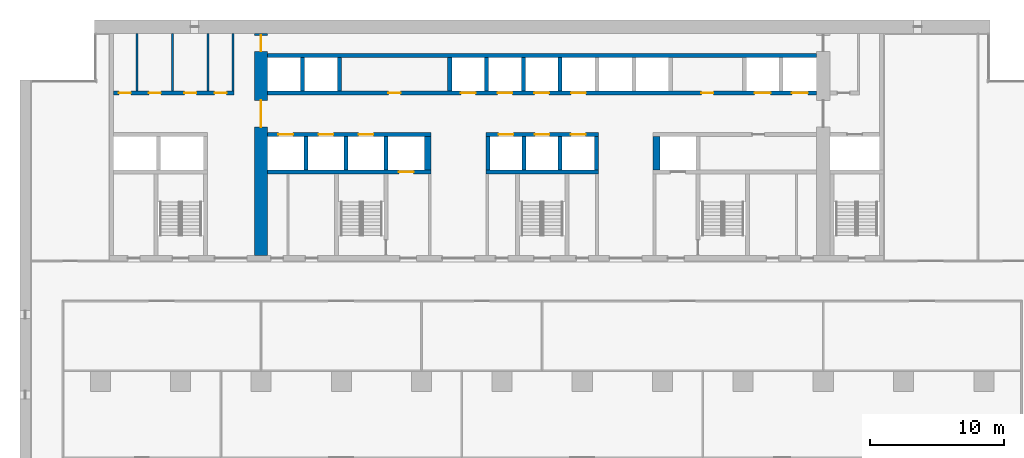
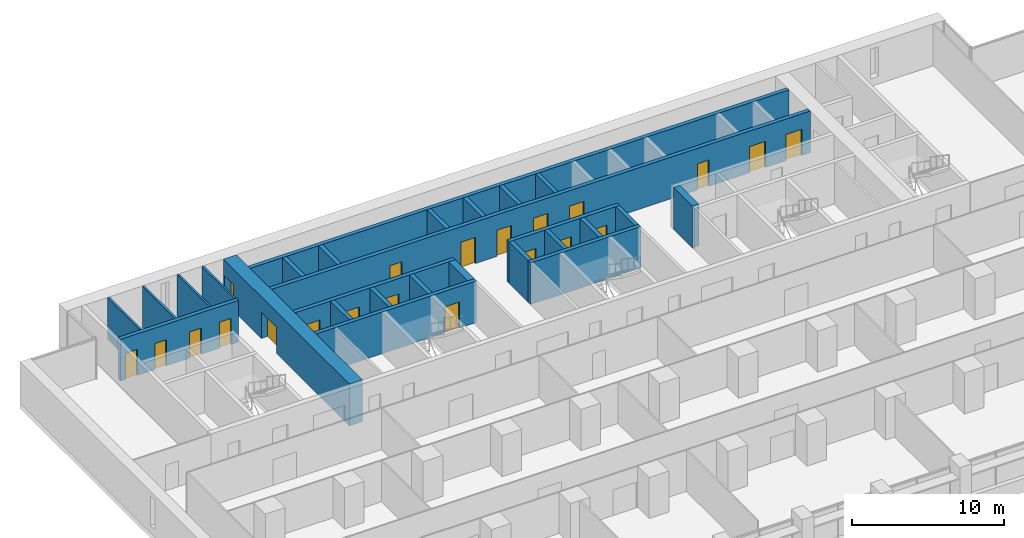
# One storey, part 11 of 18: 27 walls, 21 doors, 21 openings.
"""IFC4 building model written with IfcOpenShell, lengths in metres."""

from ifc_helpers import new_model, si_unit, direction, frame, frame_2d, origin, place, context, subcontext, project, spatial, rectangle, extrude, material, layer, layer_set, type_object, element, fill, save


model = new_model("IFC4")

# Units and contexts
model_context = context("Model", 3, precision=1e-05, world=origin(), true_north=direction((0.0, 1.0)))
body_context = subcontext(model_context, "Body", "Model", "MODEL_VIEW")
ifc_project = project(units=[si_unit("LENGTHUNIT", "METRE"), si_unit("AREAUNIT", "SQUARE_METRE"), si_unit("VOLUMEUNIT", "CUBIC_METRE"), si_unit("PLANEANGLEUNIT", "RADIAN"), si_unit("MASSUNIT", "GRAM", prefix="KILO")], contexts=[model_context])

# Site, building, storey
site_placement = place(None, origin())
site = spatial("IfcSite", under=ifc_project, at=site_placement, CompositionType="ELEMENT")
building_placement = place(site_placement, origin())
building = spatial("IfcBuilding", under=site, at=building_placement, Name="Calvaro Tower", CompositionType="ELEMENT")
storey_placement = place(building_placement, frame((0.0, 0.0, 82.5)))
storey = spatial("IfcBuildingStorey", under=building, at=storey_placement, Name="L20", CompositionType="ELEMENT", Elevation=82.5)

# Walls
ifc_material_1 = material(Name="Blockwork partition", Category="masonry")
ifc_layer_1 = layer(ifc_material_1, 0.14990234375)
ifc_layer_set_1 = layer_set([ifc_layer_1], Name="Blockwork partition")
wall_type_1 = type_object("IfcWallType", Name="Core partition 150 EI 60", PredefinedType="PARTITIONING", material=ifc_layer_set_1)
for number, where, z_axis, x_axis, name in (
    (1, (8.75, 40.699951171875, 0.0), (0.0, 0.0, 1.0), (0.0, 1.0, 0.0), "Core partition"),
    (2, (11.39990234375, 40.699951171875, 0.0), (0.0, 0.0, 1.0), (0.0, 1.0, 0.0), "Core partition"),
    (3, (14.050048828125, 40.699951171875, 0.0), (0.0, 0.0, 1.0), (0.0, 1.0, 0.0), "Core partition"),
):
    element("IfcWall", number, at=place(storey_placement, frame(where, z_axis=z_axis, x_axis=x_axis)), inside=storey, type_object=wall_type_1, Name=name, PredefinedType="PARTITIONING", context=body_context, shape_type="SweptSolid", body=[
        extrude(rectangle(XDim=4.300048828125, YDim=0.14990234375, at=frame_2d((2.14990234375, 0.0))), origin(), (0.0, 0.0, 1.0), 3.35009765625),
    ])
ifc_material_2 = material(Name="Blockwork partition", Category="masonry")
ifc_layer_2 = layer(ifc_material_2, 0.14990234375)
ifc_layer_set_2 = layer_set([ifc_layer_2], Name="Blockwork partition")
wall_type_2 = type_object("IfcWallType", Name="Core partition 150 REI 120", PredefinedType="PARTITIONING", material=ifc_layer_set_2)
wall_1_placement = place(storey_placement, frame((15.925048828125, 40.699951171875, 0.0), z_axis=(0.0, 0.0, 1.0), x_axis=(0.0, 1.0, 0.0)))
element("IfcWall", 4, at=wall_1_placement, inside=storey, type_object=wall_type_2, Name="Core partition", PredefinedType="PARTITIONING", context=body_context, shape_type="SweptSolid", body=[
    extrude(rectangle(XDim=4.300048828125, YDim=0.14990234375, at=frame_2d((2.14990234375, 0.0))), origin(), (0.0, 0.0, 1.0), 3.35009765625),
])

# Wall, openings, doors
ifc_material_3 = material(Name="Blockwork partition", Category="masonry")
ifc_layer_3 = layer(ifc_material_3, 0.300048828125)
ifc_layer_set_3 = layer_set([ifc_layer_3], Name="Blockwork partition")
wall_type_3 = type_object("IfcWallType", Name="Core partition 300 REI 120", PredefinedType="PARTITIONING", material=ifc_layer_set_3)
wall_2_placement = place(storey_placement, frame((7.0, 40.550048828125, 0.0), z_axis=(0.0, 0.0, 1.0), x_axis=(1.0, 0.0, 0.0)))
wall_2 = element("IfcWall", 5, at=wall_2_placement, inside=storey, type_object=wall_type_3, Name="Core partition", PredefinedType="PARTITIONING", context=body_context, shape_type="SweptSolid", body=[
    extrude(rectangle(XDim=9.0, YDim=0.300048828125, at=frame_2d((4.5, 0.0))), origin(), (0.0, 0.0, 1.0), 3.35009765625),
])
opening_1_placement = place(wall_2_placement, frame((0.387451171875, 0.0, 0.0)))
opening_1 = element("IfcOpeningElement", 6, at=opening_1_placement, cuts=wall_2, Name="Opening RD9C", PredefinedType="OPENING", context=body_context, shape_type="SweptSolid", body=[
    extrude(rectangle(XDim=0.89990234375, YDim=2.10009765625, at=frame_2d((0.449951171875, 1.050048828125))), frame((0.0, 0.159912109375, 0.0), z_axis=(0.0, -1.0, 0.0), x_axis=(1.0, 0.0, 0.0)), (0.0, 0.0, 1.0), 0.320068359375),
])
opening_2_placement = place(wall_2_placement, frame((2.625, 0.0, 0.0)))
opening_2 = element("IfcOpeningElement", 7, at=opening_2_placement, cuts=wall_2, Name="Opening RD9", PredefinedType="OPENING", context=body_context, shape_type="SweptSolid", body=[
    extrude(rectangle(XDim=0.89990234375, YDim=2.10009765625, at=frame_2d((0.449951171875, 1.050048828125))), frame((0.0, 0.159912109375, 0.0), z_axis=(0.0, -1.0, 0.0), x_axis=(1.0, 0.0, 0.0)), (0.0, 0.0, 1.0), 0.320068359375),
])
opening_3_placement = place(wall_2_placement, frame((5.27490234375, 0.0, 0.0)))
opening_3 = element("IfcOpeningElement", 8, at=opening_3_placement, cuts=wall_2, Name="Opening RD9", PredefinedType="OPENING", context=body_context, shape_type="SweptSolid", body=[
    extrude(rectangle(XDim=0.89990234375, YDim=2.10009765625, at=frame_2d((0.449951171875, 1.050048828125))), frame((0.0, 0.159912109375, 0.0), z_axis=(0.0, -1.0, 0.0), x_axis=(1.0, 0.0, 0.0)), (0.0, 0.0, 1.0), 0.320068359375),
])
opening_4_placement = place(wall_2_placement, frame((7.53759765625, 0.0, 0.0)))
opening_4 = element("IfcOpeningElement", 9, at=opening_4_placement, cuts=wall_2, Name="Opening RD9", PredefinedType="OPENING", context=body_context, shape_type="SweptSolid", body=[
    extrude(rectangle(XDim=0.89990234375, YDim=2.10009765625, at=frame_2d((0.449951171875, 1.050048828125))), frame((0.0, 0.159912109375, 0.0), z_axis=(0.0, -1.0, 0.0), x_axis=(1.0, 0.0, 0.0)), (0.0, 0.0, 1.0), 0.320068359375),
])
ifc_material_4 = material(Name="Steel door set", Category="steel")
door_type_1 = type_object("IfcDoorType", Name="Room door 900", OperationType="SINGLE_SWING_LEFT", PredefinedType="DOOR", material=ifc_material_4)
door_1_placement = place(opening_2_placement, origin())
door_1 = element("IfcDoor", 10, at=door_1_placement, inside=storey, type_object=door_type_1, Name="Room door", OperationType="SINGLE_SWING_LEFT", OverallHeight=2.10009765625, OverallWidth=0.89990234375, PredefinedType="DOOR", context=body_context, shape_type="SweptSolid", body=[
    extrude(rectangle(XDim=0.89990234375, YDim=2.10009765625, at=frame_2d((0.449951171875, 1.050048828125))), frame((0.0, 0.02490234375, 0.0), z_axis=(0.0, -1.0, 0.0), x_axis=(1.0, 0.0, 0.0)), (0.0, 0.0, 1.0), 0.050048828125),
])
fill(opening_2, door_1)
door_2_placement = place(opening_3_placement, origin())
door_2 = element("IfcDoor", 11, at=door_2_placement, inside=storey, type_object=door_type_1, Name="Room door", OperationType="SINGLE_SWING_LEFT", OverallHeight=2.10009765625, OverallWidth=0.89990234375, PredefinedType="DOOR", context=body_context, shape_type="SweptSolid", body=[
    extrude(rectangle(XDim=0.89990234375, YDim=2.10009765625, at=frame_2d((0.449951171875, 1.050048828125))), frame((0.0, 0.02490234375, 0.0), z_axis=(0.0, -1.0, 0.0), x_axis=(1.0, 0.0, 0.0)), (0.0, 0.0, 1.0), 0.050048828125),
])
fill(opening_3, door_2)
door_3_placement = place(opening_4_placement, origin())
door_3 = element("IfcDoor", 12, at=door_3_placement, inside=storey, type_object=door_type_1, Name="Room door", OperationType="SINGLE_SWING_RIGHT", OverallHeight=2.10009765625, OverallWidth=0.89990234375, PredefinedType="DOOR", context=body_context, shape_type="SweptSolid", body=[
    extrude(rectangle(XDim=0.89990234375, YDim=2.10009765625, at=frame_2d((0.449951171875, 1.050048828125))), frame((0.0, 0.02490234375, 0.0), z_axis=(0.0, -1.0, 0.0), x_axis=(1.0, 0.0, 0.0)), (0.0, 0.0, 1.0), 0.050048828125),
])
fill(opening_4, door_3)
ifc_material_5 = material(Name="Steel door set", Category="steel")
door_type_2 = type_object("IfcDoorType", Name="Room door 900 FD30", OperationType="SINGLE_SWING_LEFT", PredefinedType="DOOR", material=ifc_material_5)
door_4_placement = place(opening_1_placement, origin())
door_4 = element("IfcDoor", 13, at=door_4_placement, inside=storey, type_object=door_type_2, Name="Room door", OperationType="SINGLE_SWING_LEFT", OverallHeight=2.10009765625, OverallWidth=0.89990234375, PredefinedType="DOOR", context=body_context, shape_type="SweptSolid", body=[
    extrude(rectangle(XDim=0.89990234375, YDim=2.10009765625, at=frame_2d((0.449951171875, 1.050048828125))), frame((0.0, 0.02490234375, 0.0), z_axis=(0.0, -1.0, 0.0), x_axis=(1.0, 0.0, 0.0)), (0.0, 0.0, 1.0), 0.050048828125),
])
fill(opening_1, door_4)

ifc_material_6 = material(Name="Concrete C80/95", Category="concrete")
ifc_layer_4 = layer(ifc_material_6, 1.0)
ifc_layer_set_4 = layer_set([ifc_layer_4], Name="Concrete C80/95")
wall_type_4 = type_object("IfcWallType", Name="Core wall C80/95 1000", PredefinedType="SHEAR", material=ifc_layer_set_4)
wall_3_placement = place(storey_placement, frame((18.0, 28.39990234375, 0.0), z_axis=(0.0, 0.0, 1.0), x_axis=(0.0, 1.0, 0.0)))
wall_3 = element("IfcWall", 14, at=wall_3_placement, inside=storey, type_object=wall_type_4, Name="Core wall, cross shear wall", PredefinedType="SHEAR", context=body_context, shape_type="SweptSolid", body=[
    extrude(rectangle(XDim=16.60009765625, YDim=1.0, at=frame_2d((8.300048828125, 0.0))), origin(), (0.0, 0.0, 1.0), 3.35009765625),
])
opening_5_placement = place(wall_3_placement, frame((9.60009765625, 0.0, 0.0)))
opening_5 = element("IfcOpeningElement", 15, at=opening_5_placement, cuts=wall_3, Name="Opening DD20D", PredefinedType="OPENING", context=body_context, shape_type="SweptSolid", body=[
    extrude(rectangle(XDim=2.0, YDim=2.10009765625, at=frame_2d((1.0, 1.050048828125))), frame((0.0, 0.510009765625, 0.0), z_axis=(0.0, -1.0, 0.0), x_axis=(1.0, 0.0, 0.0)), (0.0, 0.0, 1.0), 1.02001953125),
])
opening_6_placement = place(wall_3_placement, frame((15.25, 0.0, 0.0)))
opening_6 = element("IfcOpeningElement", 16, at=opening_6_placement, cuts=wall_3, Name="Opening FD12C", PredefinedType="OPENING", context=body_context, shape_type="SweptSolid", body=[
    extrude(rectangle(XDim=1.199951171875, YDim=2.10009765625, at=frame_2d((0.60009765625, 1.050048828125))), frame((0.0, 0.510009765625, 0.0), z_axis=(0.0, -1.0, 0.0), x_axis=(1.0, 0.0, 0.0)), (0.0, 0.0, 1.0), 1.02001953125),
])
ifc_material_7 = material(Name="Steel door set", Category="steel")
door_type_3 = type_object("IfcDoorType", Name="Fire door 1200 FD30", OperationType="SINGLE_SWING_LEFT", PredefinedType="DOOR", material=ifc_material_7)
door_5_placement = place(opening_6_placement, origin())
door_5 = element("IfcDoor", 17, at=door_5_placement, inside=storey, type_object=door_type_3, Name="Fire door", OperationType="SINGLE_SWING_LEFT", OverallHeight=2.10009765625, OverallWidth=1.199951171875, PredefinedType="DOOR", context=body_context, shape_type="SweptSolid", body=[
    extrude(rectangle(XDim=1.199951171875, YDim=2.10009765625, at=frame_2d((0.60009765625, 1.050048828125))), frame((0.0, 0.02490234375, 0.0), z_axis=(0.0, -1.0, 0.0), x_axis=(1.0, 0.0, 0.0)), (0.0, 0.0, 1.0), 0.050048828125),
])
fill(opening_6, door_5)
ifc_material_8 = material(Name="Steel door set", Category="steel")
door_type_4 = type_object("IfcDoorType", Name="Lobby double door 2000 FD30S", OperationType="DOUBLE_DOOR_SINGLE_SWING", PredefinedType="DOOR", material=ifc_material_8)
door_6_placement = place(opening_5_placement, origin())
door_6 = element("IfcDoor", 18, at=door_6_placement, inside=storey, type_object=door_type_4, Name="Lobby double door", OperationType="DOUBLE_DOOR_SINGLE_SWING", OverallHeight=2.10009765625, OverallWidth=2.0, PredefinedType="DOOR", context=body_context, shape_type="SweptSolid", body=[
    extrude(rectangle(XDim=2.0, YDim=2.10009765625, at=frame_2d((1.0, 1.050048828125))), frame((0.0, 0.02490234375, 0.0), z_axis=(0.0, -1.0, 0.0), x_axis=(1.0, 0.0, 0.0)), (0.0, 0.0, 1.0), 0.050048828125),
])
fill(opening_5, door_6)

# Wall, opening, door
ifc_material_9 = material(Name="Concrete C80/95", Category="concrete")
ifc_layer_5 = layer(ifc_material_9, 0.300048828125)
ifc_layer_set_5 = layer_set([ifc_layer_5], Name="Concrete C80/95")
wall_type_5 = type_object("IfcWallType", Name="Core wall C80/95 300", PredefinedType="SHEAR", material=ifc_layer_set_5)
wall_4_placement = place(storey_placement, frame((18.5, 34.64990234375, 0.0), z_axis=(0.0, 0.0, 1.0), x_axis=(1.0, 0.0, 0.0)))
wall_4 = element("IfcWall", 19, at=wall_4_placement, inside=storey, type_object=wall_type_5, Name="Core wall, lift shaft", PredefinedType="SHEAR", context=body_context, shape_type="SweptSolid", body=[
    extrude(rectangle(XDim=12.199951171875, YDim=0.300048828125, at=frame_2d((6.10009765625, 0.0))), origin(), (0.0, 0.0, 1.0), 3.35009765625),
])
opening_7_placement = place(wall_4_placement, frame((9.800048828125, 0.0, 0.0)))
opening_7 = element("IfcOpeningElement", 20, at=opening_7_placement, cuts=wall_4, Name="Opening FF1", PredefinedType="OPENING", context=body_context, shape_type="SweptSolid", body=[
    extrude(rectangle(XDim=1.10009765625, YDim=2.10009765625, at=frame_2d((0.550048828125, 1.050048828125))), frame((0.0, 0.159912109375, 0.0), z_axis=(0.0, -1.0, 0.0), x_axis=(1.0, 0.0, 0.0)), (0.0, 0.0, 1.0), 0.320068359375),
])
ifc_material_10 = material(Name="Stainless steel", Category="steel")
door_type_5 = type_object("IfcDoorType", Name="Landing door 1100 E 60", OperationType="SLIDING_TO_LEFT", PredefinedType="DOOR", material=ifc_material_10)
door_7_placement = place(opening_7_placement, origin())
door_7 = element("IfcDoor", 21, at=door_7_placement, inside=storey, type_object=door_type_5, Name="Landing door FF1", OperationType="SLIDING_TO_LEFT", OverallHeight=2.10009765625, OverallWidth=1.10009765625, PredefinedType="DOOR", context=body_context, shape_type="SweptSolid", body=[
    extrude(rectangle(XDim=1.10009765625, YDim=2.10009765625, at=frame_2d((0.550048828125, 1.050048828125))), frame((0.0, 0.02490234375, 0.0), z_axis=(0.0, -1.0, 0.0), x_axis=(1.0, 0.0, 0.0)), (0.0, 0.0, 1.0), 0.050048828125),
])
fill(opening_7, door_7)

# Wall
wall_5_placement = place(storey_placement, frame((34.800048828125, 34.64990234375, 0.0), z_axis=(0.0, 0.0, 1.0), x_axis=(1.0, 0.0, 0.0)))
element("IfcWall", 22, at=wall_5_placement, inside=storey, type_object=wall_type_5, Name="Core wall, lift shaft", PredefinedType="SHEAR", context=body_context, shape_type="SweptSolid", body=[
    extrude(rectangle(XDim=8.39990234375, YDim=0.300048828125, at=frame_2d((4.199951171875, 0.0))), origin(), (0.0, 0.0, 1.0), 3.35009765625),
])

# Wall, openings, doors
wall_6_placement = place(storey_placement, frame((18.5, 37.449951171875, 0.0), z_axis=(0.0, 0.0, 1.0), x_axis=(1.0, 0.0, 0.0)))
wall_6 = element("IfcWall", 23, at=wall_6_placement, inside=storey, type_object=wall_type_5, Name="Core wall, lift shaft", PredefinedType="SHEAR", context=body_context, shape_type="SweptSolid", body=[
    extrude(rectangle(XDim=12.199951171875, YDim=0.300048828125, at=frame_2d((6.10009765625, 0.0))), origin(), (0.0, 0.0, 1.0), 3.35009765625),
])
opening_8_placement = place(wall_6_placement, frame((0.800048828125, 0.0, 0.0)))
opening_8 = element("IfcOpeningElement", 24, at=opening_8_placement, cuts=wall_6, Name="Opening LR1", PredefinedType="OPENING", context=body_context, shape_type="SweptSolid", body=[
    extrude(rectangle(XDim=1.10009765625, YDim=2.10009765625, at=frame_2d((0.550048828125, 1.050048828125))), frame((0.0, 0.159912109375, 0.0), z_axis=(0.0, -1.0, 0.0), x_axis=(1.0, 0.0, 0.0)), (0.0, 0.0, 1.0), 0.320068359375),
])
opening_9_placement = place(wall_6_placement, frame((3.800048828125, 0.0, 0.0)))
opening_9 = element("IfcOpeningElement", 25, at=opening_9_placement, cuts=wall_6, Name="Opening LR2", PredefinedType="OPENING", context=body_context, shape_type="SweptSolid", body=[
    extrude(rectangle(XDim=1.10009765625, YDim=2.10009765625, at=frame_2d((0.550048828125, 1.050048828125))), frame((0.0, 0.159912109375, 0.0), z_axis=(0.0, -1.0, 0.0), x_axis=(1.0, 0.0, 0.0)), (0.0, 0.0, 1.0), 0.320068359375),
])
opening_10_placement = place(wall_6_placement, frame((6.800048828125, 0.0, 0.0)))
opening_10 = element("IfcOpeningElement", 26, at=opening_10_placement, cuts=wall_6, Name="Opening LR3", PredefinedType="OPENING", context=body_context, shape_type="SweptSolid", body=[
    extrude(rectangle(XDim=1.10009765625, YDim=2.10009765625, at=frame_2d((0.550048828125, 1.050048828125))), frame((0.0, 0.159912109375, 0.0), z_axis=(0.0, -1.0, 0.0), x_axis=(1.0, 0.0, 0.0)), (0.0, 0.0, 1.0), 0.320068359375),
])
door_8_placement = place(opening_8_placement, origin())
door_8 = element("IfcDoor", 27, at=door_8_placement, inside=storey, type_object=door_type_5, Name="Landing door LR1", OperationType="SLIDING_TO_LEFT", OverallHeight=2.10009765625, OverallWidth=1.10009765625, PredefinedType="DOOR", context=body_context, shape_type="SweptSolid", body=[
    extrude(rectangle(XDim=1.10009765625, YDim=2.10009765625, at=frame_2d((0.550048828125, 1.050048828125))), frame((0.0, 0.02490234375, 0.0), z_axis=(0.0, -1.0, 0.0), x_axis=(1.0, 0.0, 0.0)), (0.0, 0.0, 1.0), 0.050048828125),
])
fill(opening_8, door_8)
door_9_placement = place(opening_9_placement, origin())
door_9 = element("IfcDoor", 28, at=door_9_placement, inside=storey, type_object=door_type_5, Name="Landing door LR2", OperationType="SLIDING_TO_LEFT", OverallHeight=2.10009765625, OverallWidth=1.10009765625, PredefinedType="DOOR", context=body_context, shape_type="SweptSolid", body=[
    extrude(rectangle(XDim=1.10009765625, YDim=2.10009765625, at=frame_2d((0.550048828125, 1.050048828125))), frame((0.0, 0.02490234375, 0.0), z_axis=(0.0, -1.0, 0.0), x_axis=(1.0, 0.0, 0.0)), (0.0, 0.0, 1.0), 0.050048828125),
])
fill(opening_9, door_9)
door_10_placement = place(opening_10_placement, origin())
door_10 = element("IfcDoor", 29, at=door_10_placement, inside=storey, type_object=door_type_5, Name="Landing door LR3", OperationType="SLIDING_TO_LEFT", OverallHeight=2.10009765625, OverallWidth=1.10009765625, PredefinedType="DOOR", context=body_context, shape_type="SweptSolid", body=[
    extrude(rectangle(XDim=1.10009765625, YDim=2.10009765625, at=frame_2d((0.550048828125, 1.050048828125))), frame((0.0, 0.02490234375, 0.0), z_axis=(0.0, -1.0, 0.0), x_axis=(1.0, 0.0, 0.0)), (0.0, 0.0, 1.0), 0.050048828125),
])
fill(opening_10, door_10)

wall_7_placement = place(storey_placement, frame((34.800048828125, 37.449951171875, 0.0), z_axis=(0.0, 0.0, 1.0), x_axis=(1.0, 0.0, 0.0)))
wall_7 = element("IfcWall", 30, at=wall_7_placement, inside=storey, type_object=wall_type_5, Name="Core wall, lift shaft", PredefinedType="SHEAR", context=body_context, shape_type="SweptSolid", body=[
    extrude(rectangle(XDim=8.39990234375, YDim=0.300048828125, at=frame_2d((4.199951171875, 0.0))), origin(), (0.0, 0.0, 1.0), 3.35009765625),
])
opening_11_placement = place(wall_7_placement, frame((0.949951171875, 0.0, 0.0)))
opening_11 = element("IfcOpeningElement", 31, at=opening_11_placement, cuts=wall_7, Name="Opening LR4", PredefinedType="OPENING", context=body_context, shape_type="SweptSolid", body=[
    extrude(rectangle(XDim=1.10009765625, YDim=2.10009765625, at=frame_2d((0.550048828125, 1.050048828125))), frame((0.0, 0.159912109375, 0.0), z_axis=(0.0, -1.0, 0.0), x_axis=(1.0, 0.0, 0.0)), (0.0, 0.0, 1.0), 0.320068359375),
])
opening_12_placement = place(wall_7_placement, frame((3.64990234375, 0.0, 0.0)))
opening_12 = element("IfcOpeningElement", 32, at=opening_12_placement, cuts=wall_7, Name="Opening LR5", PredefinedType="OPENING", context=body_context, shape_type="SweptSolid", body=[
    extrude(rectangle(XDim=1.10009765625, YDim=2.10009765625, at=frame_2d((0.550048828125, 1.050048828125))), frame((0.0, 0.159912109375, 0.0), z_axis=(0.0, -1.0, 0.0), x_axis=(1.0, 0.0, 0.0)), (0.0, 0.0, 1.0), 0.320068359375),
])
opening_13_placement = place(wall_7_placement, frame((6.35009765625, 0.0, 0.0)))
opening_13 = element("IfcOpeningElement", 33, at=opening_13_placement, cuts=wall_7, Name="Opening LR6", PredefinedType="OPENING", context=body_context, shape_type="SweptSolid", body=[
    extrude(rectangle(XDim=1.10009765625, YDim=2.10009765625, at=frame_2d((0.550048828125, 1.050048828125))), frame((0.0, 0.159912109375, 0.0), z_axis=(0.0, -1.0, 0.0), x_axis=(1.0, 0.0, 0.0)), (0.0, 0.0, 1.0), 0.320068359375),
])
door_11_placement = place(opening_11_placement, origin())
door_11 = element("IfcDoor", 34, at=door_11_placement, inside=storey, type_object=door_type_5, Name="Landing door LR4", OperationType="SLIDING_TO_LEFT", OverallHeight=2.10009765625, OverallWidth=1.10009765625, PredefinedType="DOOR", context=body_context, shape_type="SweptSolid", body=[
    extrude(rectangle(XDim=1.10009765625, YDim=2.10009765625, at=frame_2d((0.550048828125, 1.050048828125))), frame((0.0, 0.02490234375, 0.0), z_axis=(0.0, -1.0, 0.0), x_axis=(1.0, 0.0, 0.0)), (0.0, 0.0, 1.0), 0.050048828125),
])
fill(opening_11, door_11)
door_12_placement = place(opening_12_placement, origin())
door_12 = element("IfcDoor", 35, at=door_12_placement, inside=storey, type_object=door_type_5, Name="Landing door LR5", OperationType="SLIDING_TO_LEFT", OverallHeight=2.10009765625, OverallWidth=1.10009765625, PredefinedType="DOOR", context=body_context, shape_type="SweptSolid", body=[
    extrude(rectangle(XDim=1.10009765625, YDim=2.10009765625, at=frame_2d((0.550048828125, 1.050048828125))), frame((0.0, 0.02490234375, 0.0), z_axis=(0.0, -1.0, 0.0), x_axis=(1.0, 0.0, 0.0)), (0.0, 0.0, 1.0), 0.050048828125),
])
fill(opening_12, door_12)
door_13_placement = place(opening_13_placement, origin())
door_13 = element("IfcDoor", 36, at=door_13_placement, inside=storey, type_object=door_type_5, Name="Landing door LR6", OperationType="SLIDING_TO_LEFT", OverallHeight=2.10009765625, OverallWidth=1.10009765625, PredefinedType="DOOR", context=body_context, shape_type="SweptSolid", body=[
    extrude(rectangle(XDim=1.10009765625, YDim=2.10009765625, at=frame_2d((0.550048828125, 1.050048828125))), frame((0.0, 0.02490234375, 0.0), z_axis=(0.0, -1.0, 0.0), x_axis=(1.0, 0.0, 0.0)), (0.0, 0.0, 1.0), 0.050048828125),
])
fill(opening_13, door_13)

# Walls
for number, where, z_axis, x_axis, name in (
    (37, (27.35009765625, 34.800048828125, 0.0), (0.0, 0.0, 1.0), (0.0, 1.0, 0.0), "Core wall, lift shaft"),
    (38, (34.949951171875, 34.800048828125, 0.0), (0.0, 0.0, 1.0), (0.0, 1.0, 0.0), "Core wall, lift shaft"),
    (39, (43.050048828125, 34.800048828125, 0.0), (0.0, 0.0, 1.0), (0.0, 1.0, 0.0), "Core wall, lift shaft"),
):
    element("IfcWall", number, at=place(storey_placement, frame(where, z_axis=z_axis, x_axis=x_axis)), inside=storey, type_object=wall_type_5, Name=name, PredefinedType="SHEAR", context=body_context, shape_type="SweptSolid", body=[
        extrude(rectangle(XDim=2.5, YDim=0.300048828125, at=frame_2d((1.25, 0.0))), origin(), (0.0, 0.0, 1.0), 3.35009765625),
    ])

# Wall, openings, doors
wall_8_placement = place(storey_placement, frame((18.5, 40.550048828125, 0.0), z_axis=(0.0, 0.0, 1.0), x_axis=(1.0, 0.0, 0.0)))
wall_8 = element("IfcWall", 40, at=wall_8_placement, inside=storey, type_object=wall_type_5, Name="Core wall, bay", PredefinedType="SHEAR", context=body_context, shape_type="SweptSolid", body=[
    extrude(rectangle(XDim=41.0, YDim=0.300048828125, at=frame_2d((20.5, 0.0))), origin(), (0.0, 0.0, 1.0), 3.35009765625),
])
opening_14_placement = place(wall_8_placement, frame((9.02490234375, 0.0, 0.0)))
opening_14 = element("IfcOpeningElement", 41, at=opening_14_placement, cuts=wall_8, Name="Opening RD9E", PredefinedType="OPENING", context=body_context, shape_type="SweptSolid", body=[
    extrude(rectangle(XDim=0.89990234375, YDim=2.10009765625, at=frame_2d((0.449951171875, 1.050048828125))), frame((0.0, 0.159912109375, 0.0), z_axis=(0.0, -1.0, 0.0), x_axis=(1.0, 0.0, 0.0)), (0.0, 0.0, 1.0), 0.320068359375),
])
opening_15_placement = place(wall_8_placement, frame((32.39990234375, 0.0, 0.0)))
opening_15 = element("IfcOpeningElement", 42, at=opening_15_placement, cuts=wall_8, Name="Opening RD9E", PredefinedType="OPENING", context=body_context, shape_type="SweptSolid", body=[
    extrude(rectangle(XDim=0.89990234375, YDim=2.10009765625, at=frame_2d((0.449951171875, 1.050048828125))), frame((0.0, 0.159912109375, 0.0), z_axis=(0.0, -1.0, 0.0), x_axis=(1.0, 0.0, 0.0)), (0.0, 0.0, 1.0), 0.320068359375),
])
opening_16_placement = place(wall_8_placement, frame((14.425048828125, 0.0, 0.0)))
opening_16 = element("IfcOpeningElement", 43, at=opening_16_placement, cuts=wall_8, Name="Opening LR7", PredefinedType="OPENING", context=body_context, shape_type="SweptSolid", body=[
    extrude(rectangle(XDim=1.10009765625, YDim=2.10009765625, at=frame_2d((0.550048828125, 1.050048828125))), frame((0.0, 0.159912109375, 0.0), z_axis=(0.0, -1.0, 0.0), x_axis=(1.0, 0.0, 0.0)), (0.0, 0.0, 1.0), 0.320068359375),
])
opening_17_placement = place(wall_8_placement, frame((17.175048828125, 0.0, 0.0)))
opening_17 = element("IfcOpeningElement", 44, at=opening_17_placement, cuts=wall_8, Name="Opening LR8", PredefinedType="OPENING", context=body_context, shape_type="SweptSolid", body=[
    extrude(rectangle(XDim=1.10009765625, YDim=2.10009765625, at=frame_2d((0.550048828125, 1.050048828125))), frame((0.0, 0.159912109375, 0.0), z_axis=(0.0, -1.0, 0.0), x_axis=(1.0, 0.0, 0.0)), (0.0, 0.0, 1.0), 0.320068359375),
])
opening_18_placement = place(wall_8_placement, frame((19.925048828125, 0.0, 0.0)))
opening_18 = element("IfcOpeningElement", 45, at=opening_18_placement, cuts=wall_8, Name="Opening LR9", PredefinedType="OPENING", context=body_context, shape_type="SweptSolid", body=[
    extrude(rectangle(XDim=1.10009765625, YDim=2.10009765625, at=frame_2d((0.550048828125, 1.050048828125))), frame((0.0, 0.159912109375, 0.0), z_axis=(0.0, -1.0, 0.0), x_axis=(1.0, 0.0, 0.0)), (0.0, 0.0, 1.0), 0.320068359375),
])
opening_19_placement = place(wall_8_placement, frame((22.675048828125, 0.0, 0.0)))
opening_19 = element("IfcOpeningElement", 46, at=opening_19_placement, cuts=wall_8, Name="Opening LR10", PredefinedType="OPENING", context=body_context, shape_type="SweptSolid", body=[
    extrude(rectangle(XDim=1.10009765625, YDim=2.10009765625, at=frame_2d((0.550048828125, 1.050048828125))), frame((0.0, 0.159912109375, 0.0), z_axis=(0.0, -1.0, 0.0), x_axis=(1.0, 0.0, 0.0)), (0.0, 0.0, 1.0), 0.320068359375),
])
opening_20_placement = place(wall_8_placement, frame((36.375, 0.0, 0.0)))
opening_20 = element("IfcOpeningElement", 47, at=opening_20_placement, cuts=wall_8, Name="Opening SV1", PredefinedType="OPENING", context=body_context, shape_type="SweptSolid", body=[
    extrude(rectangle(XDim=1.199951171875, YDim=2.10009765625, at=frame_2d((0.60009765625, 1.050048828125))), frame((0.0, 0.159912109375, 0.0), z_axis=(0.0, -1.0, 0.0), x_axis=(1.0, 0.0, 0.0)), (0.0, 0.0, 1.0), 0.320068359375),
])
opening_21_placement = place(wall_8_placement, frame((39.14990234375, 0.0, 0.0)))
opening_21 = element("IfcOpeningElement", 48, at=opening_21_placement, cuts=wall_8, Name="Opening SV2", PredefinedType="OPENING", context=body_context, shape_type="SweptSolid", body=[
    extrude(rectangle(XDim=1.199951171875, YDim=2.10009765625, at=frame_2d((0.60009765625, 1.050048828125))), frame((0.0, 0.159912109375, 0.0), z_axis=(0.0, -1.0, 0.0), x_axis=(1.0, 0.0, 0.0)), (0.0, 0.0, 1.0), 0.320068359375),
])
door_14_placement = place(opening_16_placement, origin())
door_14 = element("IfcDoor", 49, at=door_14_placement, inside=storey, type_object=door_type_5, Name="Landing door LR7", OperationType="SLIDING_TO_LEFT", OverallHeight=2.10009765625, OverallWidth=1.10009765625, PredefinedType="DOOR", context=body_context, shape_type="SweptSolid", body=[
    extrude(rectangle(XDim=1.10009765625, YDim=2.10009765625, at=frame_2d((0.550048828125, 1.050048828125))), frame((0.0, 0.02490234375, 0.0), z_axis=(0.0, -1.0, 0.0), x_axis=(1.0, 0.0, 0.0)), (0.0, 0.0, 1.0), 0.050048828125),
])
fill(opening_16, door_14)
door_15_placement = place(opening_17_placement, origin())
door_15 = element("IfcDoor", 50, at=door_15_placement, inside=storey, type_object=door_type_5, Name="Landing door LR8", OperationType="SLIDING_TO_LEFT", OverallHeight=2.10009765625, OverallWidth=1.10009765625, PredefinedType="DOOR", context=body_context, shape_type="SweptSolid", body=[
    extrude(rectangle(XDim=1.10009765625, YDim=2.10009765625, at=frame_2d((0.550048828125, 1.050048828125))), frame((0.0, 0.02490234375, 0.0), z_axis=(0.0, -1.0, 0.0), x_axis=(1.0, 0.0, 0.0)), (0.0, 0.0, 1.0), 0.050048828125),
])
fill(opening_17, door_15)
door_16_placement = place(opening_18_placement, origin())
door_16 = element("IfcDoor", 51, at=door_16_placement, inside=storey, type_object=door_type_5, Name="Landing door LR9", OperationType="SLIDING_TO_LEFT", OverallHeight=2.10009765625, OverallWidth=1.10009765625, PredefinedType="DOOR", context=body_context, shape_type="SweptSolid", body=[
    extrude(rectangle(XDim=1.10009765625, YDim=2.10009765625, at=frame_2d((0.550048828125, 1.050048828125))), frame((0.0, 0.02490234375, 0.0), z_axis=(0.0, -1.0, 0.0), x_axis=(1.0, 0.0, 0.0)), (0.0, 0.0, 1.0), 0.050048828125),
])
fill(opening_18, door_16)
door_17_placement = place(opening_19_placement, origin())
door_17 = element("IfcDoor", 52, at=door_17_placement, inside=storey, type_object=door_type_5, Name="Landing door LR10", OperationType="SLIDING_TO_LEFT", OverallHeight=2.10009765625, OverallWidth=1.10009765625, PredefinedType="DOOR", context=body_context, shape_type="SweptSolid", body=[
    extrude(rectangle(XDim=1.10009765625, YDim=2.10009765625, at=frame_2d((0.550048828125, 1.050048828125))), frame((0.0, 0.02490234375, 0.0), z_axis=(0.0, -1.0, 0.0), x_axis=(1.0, 0.0, 0.0)), (0.0, 0.0, 1.0), 0.050048828125),
])
fill(opening_19, door_17)
ifc_material_11 = material(Name="Stainless steel", Category="steel")
door_type_6 = type_object("IfcDoorType", Name="Landing door 1200 E 60", OperationType="SLIDING_TO_LEFT", PredefinedType="DOOR", material=ifc_material_11)
door_18_placement = place(opening_20_placement, origin())
door_18 = element("IfcDoor", 53, at=door_18_placement, inside=storey, type_object=door_type_6, Name="Landing door SV1", OperationType="SLIDING_TO_LEFT", OverallHeight=2.10009765625, OverallWidth=1.199951171875, PredefinedType="DOOR", context=body_context, shape_type="SweptSolid", body=[
    extrude(rectangle(XDim=1.199951171875, YDim=2.10009765625, at=frame_2d((0.60009765625, 1.050048828125))), frame((0.0, 0.02490234375, 0.0), z_axis=(0.0, -1.0, 0.0), x_axis=(1.0, 0.0, 0.0)), (0.0, 0.0, 1.0), 0.050048828125),
])
fill(opening_20, door_18)
door_19_placement = place(opening_21_placement, origin())
door_19 = element("IfcDoor", 54, at=door_19_placement, inside=storey, type_object=door_type_6, Name="Landing door SV2", OperationType="SLIDING_TO_LEFT", OverallHeight=2.10009765625, OverallWidth=1.199951171875, PredefinedType="DOOR", context=body_context, shape_type="SweptSolid", body=[
    extrude(rectangle(XDim=1.199951171875, YDim=2.10009765625, at=frame_2d((0.60009765625, 1.050048828125))), frame((0.0, 0.02490234375, 0.0), z_axis=(0.0, -1.0, 0.0), x_axis=(1.0, 0.0, 0.0)), (0.0, 0.0, 1.0), 0.050048828125),
])
fill(opening_21, door_19)
ifc_material_12 = material(Name="Steel door set", Category="steel")
door_type_7 = type_object("IfcDoorType", Name="Room door 900 FD60", OperationType="SINGLE_SWING_LEFT", PredefinedType="DOOR", material=ifc_material_12)
door_20_placement = place(opening_14_placement, origin())
door_20 = element("IfcDoor", 55, at=door_20_placement, inside=storey, type_object=door_type_7, Name="Room door", OperationType="SINGLE_SWING_RIGHT", OverallHeight=2.10009765625, OverallWidth=0.89990234375, PredefinedType="DOOR", context=body_context, shape_type="SweptSolid", body=[
    extrude(rectangle(XDim=0.89990234375, YDim=2.10009765625, at=frame_2d((0.449951171875, 1.050048828125))), frame((0.0, 0.02490234375, 0.0), z_axis=(0.0, -1.0, 0.0), x_axis=(1.0, 0.0, 0.0)), (0.0, 0.0, 1.0), 0.050048828125),
])
fill(opening_14, door_20)
door_21_placement = place(opening_15_placement, origin())
door_21 = element("IfcDoor", 56, at=door_21_placement, inside=storey, type_object=door_type_7, Name="Room door", OperationType="SINGLE_SWING_LEFT", OverallHeight=2.10009765625, OverallWidth=0.89990234375, PredefinedType="DOOR", context=body_context, shape_type="SweptSolid", body=[
    extrude(rectangle(XDim=0.89990234375, YDim=2.10009765625, at=frame_2d((0.449951171875, 1.050048828125))), frame((0.0, 0.02490234375, 0.0), z_axis=(0.0, -1.0, 0.0), x_axis=(1.0, 0.0, 0.0)), (0.0, 0.0, 1.0), 0.050048828125),
])
fill(opening_15, door_21)

# Walls
wall_9_placement = place(storey_placement, frame((18.5, 43.35009765625, 0.0), z_axis=(0.0, 0.0, 1.0), x_axis=(1.0, 0.0, 0.0)))
element("IfcWall", 57, at=wall_9_placement, inside=storey, type_object=wall_type_5, Name="Core wall, lift shaft", PredefinedType="SHEAR", context=body_context, shape_type="SweptSolid", body=[
    extrude(rectangle(XDim=41.0, YDim=0.300048828125, at=frame_2d((20.5, 0.0))), origin(), (0.0, 0.0, 1.0), 3.35009765625),
])
for number, where, z_axis, x_axis, name in (
    (58, (21.35009765625, 34.800048828125, 0.0), (0.0, 0.0, 1.0), (0.0, 1.0, 0.0), "Core wall, lift shaft"),
    (59, (24.35009765625, 34.800048828125, 0.0), (0.0, 0.0, 1.0), (0.0, 1.0, 0.0), "Core wall, lift shaft"),
    (60, (37.64990234375, 34.800048828125, 0.0), (0.0, 0.0, 1.0), (0.0, 1.0, 0.0), "Core wall, lift shaft"),
    (61, (40.35009765625, 34.800048828125, 0.0), (0.0, 0.0, 1.0), (0.0, 1.0, 0.0), "Core wall, lift shaft"),
    (62, (21.10009765625, 40.699951171875, 0.0), (0.0, 0.0, 1.0), (0.0, 1.0, 0.0), "Core wall, lift shaft"),
    (63, (23.85009765625, 40.699951171875, 0.0), (0.0, 0.0, 1.0), (0.0, 1.0, 0.0), "Core wall, lift shaft"),
    (64, (32.10009765625, 40.699951171875, 0.0), (0.0, 0.0, 1.0), (0.0, 1.0, 0.0), "Core wall, lift shaft"),
    (65, (34.85009765625, 40.699951171875, 0.0), (0.0, 0.0, 1.0), (0.0, 1.0, 0.0), "Core wall, lift shaft"),
    (66, (37.60009765625, 40.699951171875, 0.0), (0.0, 0.0, 1.0), (0.0, 1.0, 0.0), "Core wall, lift shaft"),
    (67, (40.35009765625, 40.699951171875, 0.0), (0.0, 0.0, 1.0), (0.0, 1.0, 0.0), "Core wall, lift shaft"),
):
    element("IfcWall", number, at=place(storey_placement, frame(where, z_axis=z_axis, x_axis=x_axis)), inside=storey, type_object=wall_type_5, Name=name, PredefinedType="SHEAR", context=body_context, shape_type="SweptSolid", body=[
        extrude(rectangle(XDim=2.5, YDim=0.300048828125, at=frame_2d((1.25, 0.0))), origin(), (0.0, 0.0, 1.0), 3.35009765625),
    ])
ifc_material_13 = material(Name="Concrete C80/95", Category="concrete")
ifc_layer_6 = layer(ifc_material_13, 0.5)
ifc_layer_set_6 = layer_set([ifc_layer_6], Name="Concrete C80/95")
wall_type_6 = type_object("IfcWallType", Name="Core wall C80/95 500", PredefinedType="SHEAR", material=ifc_layer_set_6)
for number, where, z_axis, x_axis, name in (
    (68, (30.449951171875, 34.800048828125, 0.0), (0.0, 0.0, 1.0), (0.0, 1.0, 0.0), "Core wall, lift shaft"),
    (69, (47.550048828125, 34.800048828125, 0.0), (0.0, 0.0, 1.0), (0.0, 1.0, 0.0), "Core wall, lift shaft"),
):
    element("IfcWall", number, at=place(storey_placement, frame(where, z_axis=z_axis, x_axis=x_axis)), inside=storey, type_object=wall_type_6, Name=name, PredefinedType="SHEAR", context=body_context, shape_type="SweptSolid", body=[
        extrude(rectangle(XDim=2.5, YDim=0.5, at=frame_2d((1.25, 0.0))), origin(), (0.0, 0.0, 1.0), 3.35009765625),
    ])

save(model, "model.ifc")
